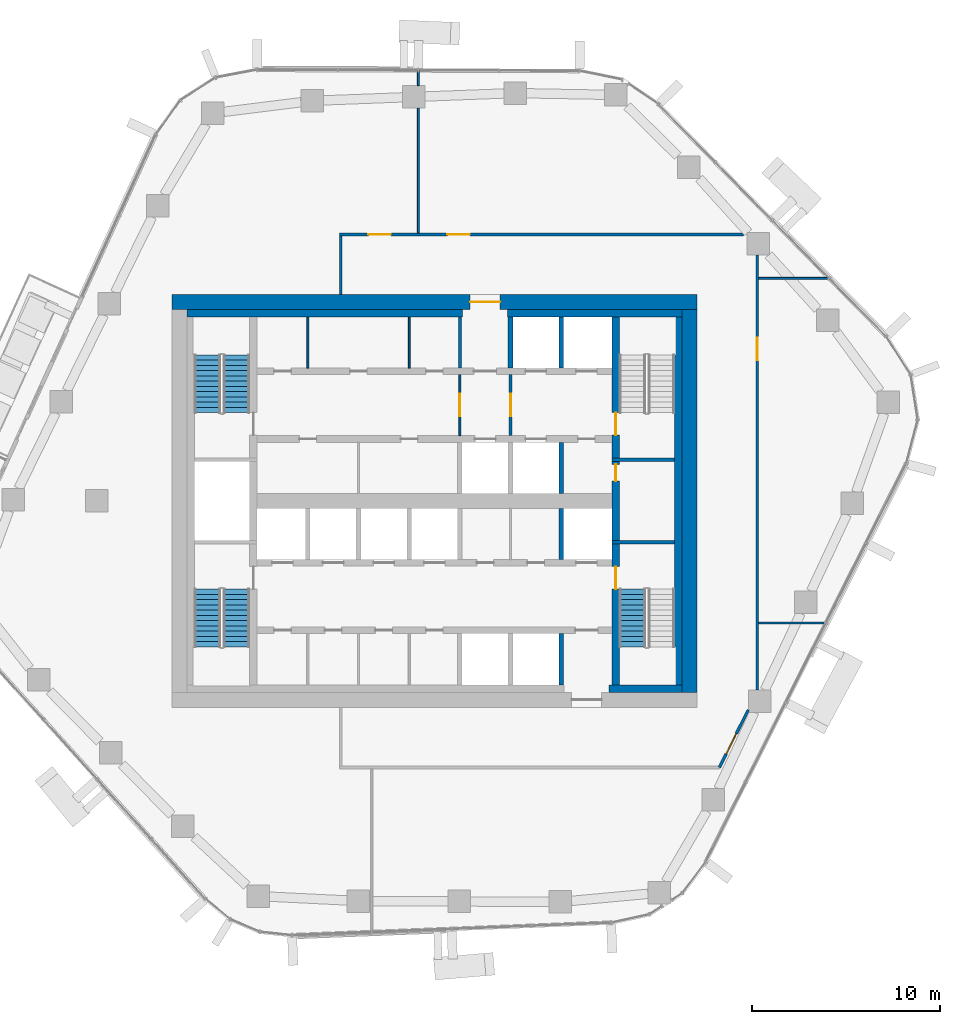
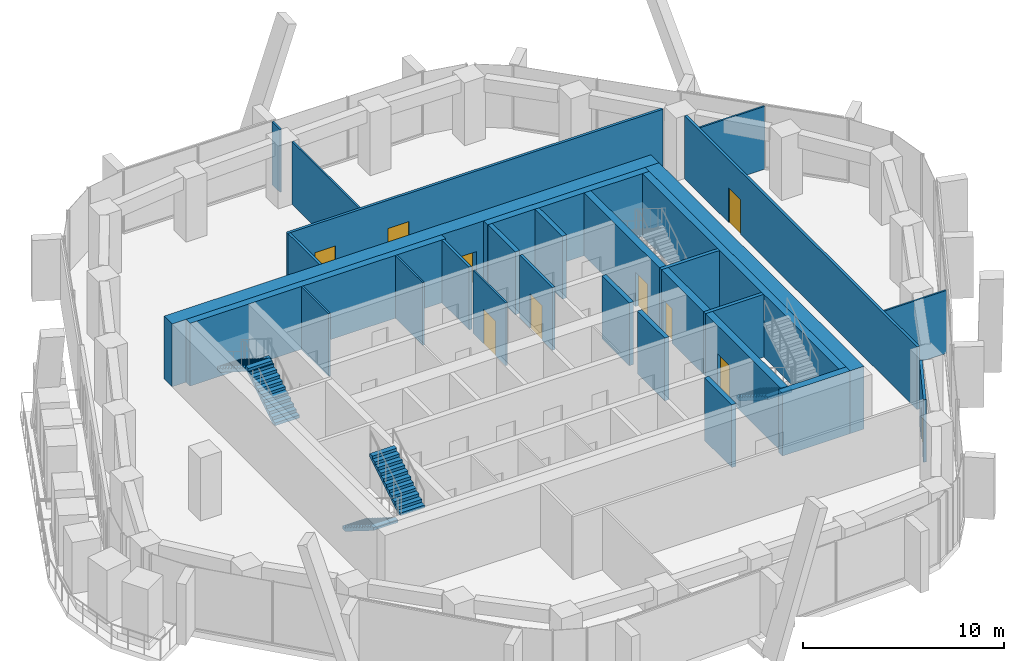
# One storey, part 13 of 19: 29 walls, 10 doors, 5 stair flights, 10 openings, 3 elements without a shape of their own.
"""IFC4 building model written with IfcOpenShell, lengths in metres."""

import ifcopenshell
import ifcopenshell.guid

model = None  # the IFC model being written
_history = None  # IfcOwnerHistory: only IFC2X3 demands one
_inside = {}  # id of a spatial element -> (the spatial element, [elements in it])
_under = {}  # id of a project, library or spatial element -> (it, [spatial elements below it])
_declared = {}  # id of a project -> (the project, [libraries it declares])
_typed = {}  # id of a type object -> (the type object, [elements of that type])
_made_of = {}  # id of a material, layer set ... -> (it, [elements and type objects made of it])


def new_model(schema):
    """Start an empty IFC model of exactly this schema.

    Asked for "IFC4X3", IfcOpenShell would pick the latest addendum, in which some entities
    have other attributes; the version numbers below select the first issue.
    IFC2X3 requires an IfcOwnerHistory on every rooted entity: one is made here for all.
    """
    global model, _history
    if schema == "IFC4X3":
        model = ifcopenshell.file(schema_version=(4, 3, 0, 0))
    else:
        model = ifcopenshell.file(schema=schema)
    _inside.clear()
    _under.clear()
    _declared.clear()
    _typed.clear()
    _made_of.clear()
    _history = None
    if model.schema == "IFC2X3":
        org = make("IfcOrganization", Name="unknown")
        user = make(
            "IfcPersonAndOrganization",
            ThePerson=make("IfcPerson", FamilyName="unknown"),
            TheOrganization=org,
        )
        app = make(
            "IfcApplication",
            ApplicationDeveloper=org,
            Version="unknown",
            ApplicationFullName="unknown",
            ApplicationIdentifier="unknown",
        )
        _history = make(
            "IfcOwnerHistory",
            OwningUser=user,
            OwningApplication=app,
            ChangeAction="ADDED",
            CreationDate=0,
        )
    return model


def make(cls, **values):
    """One entity of the class cls with the attributes given. An attribute that is None is left unset."""
    return model.create_entity(
        cls, **{name: value for name, value in values.items() if value is not None}
    )


def rooted(cls, **values):
    """An entity with a GlobalId (a new one), such as an element, a storey or a relation."""
    return make(cls, GlobalId=ifcopenshell.guid.new(), OwnerHistory=_history, **values)


def si_unit(unit_type, name, prefix=None):
    """IfcSIUnit, for example si_unit("LENGTHUNIT", "METRE", prefix="MILLI")."""
    return make("IfcSIUnit", UnitType=unit_type, Prefix=prefix, Name=name)


def assignment(units):
    """IfcUnitAssignment: the units of a project."""
    return None if units is None else make("IfcUnitAssignment", Units=units)


def point(xyz):
    """IfcCartesianPoint."""
    return None if xyz is None else make("IfcCartesianPoint", Coordinates=xyz)


def direction(xyz):
    """IfcDirection."""
    return None if xyz is None else make("IfcDirection", DirectionRatios=xyz)


def frame(location, z_axis=None, x_axis=None):
    """IfcAxis2Placement3D, a coordinate frame: its origin and axes. An axis left out is left unset."""
    return make(
        "IfcAxis2Placement3D",
        Location=point(location),
        Axis=direction(z_axis),
        RefDirection=direction(x_axis),
    )


def frame_2d(location, x_axis=None):
    """IfcAxis2Placement2D, a coordinate frame in the plane: its origin and x axis."""
    return make(
        "IfcAxis2Placement2D", Location=point(location), RefDirection=direction(x_axis)
    )


def origin():
    """The frame at (0, 0, 0) with its axes left unset."""
    return frame((0.0, 0.0, 0.0))


def place(relative_to, where):
    """IfcLocalPlacement: puts the frame where relative to a parent placement (None: the world)."""
    return make(
        "IfcLocalPlacement", PlacementRelTo=relative_to, RelativePlacement=where
    )


def context(
    kind, dimensions, precision=None, world=None, true_north=None, identifier=None
):
    """IfcGeometricRepresentationContext, for example the 3D "Model" context."""
    return make(
        "IfcGeometricRepresentationContext",
        ContextIdentifier=identifier,
        ContextType=kind,
        CoordinateSpaceDimension=dimensions,
        Precision=precision,
        WorldCoordinateSystem=world,
        TrueNorth=true_north,
    )


def subcontext(parent, identifier, kind, view, scale=None):
    """IfcGeometricRepresentationSubContext, for example "Body" below "Model"."""
    return make(
        "IfcGeometricRepresentationSubContext",
        ContextIdentifier=identifier,
        ContextType=kind,
        ParentContext=parent,
        TargetScale=scale,
        TargetView=view,
    )


def project(units=None, contexts=None):
    """IfcProject with its units and contexts."""
    return rooted(
        "IfcProject",
        Name="project",
        RepresentationContexts=contexts,
        UnitsInContext=assignment(units),
    )


def spatial(cls, under=None, at=None, **own):
    """A site, building, storey or space (cls), placed at a placement, below another one or the project."""
    s = rooted(cls, ObjectPlacement=at, **own)
    if under is not None:
        _under.setdefault(under.id(), (under, []))[1].append(s)
    return s


def polyline(points):
    """IfcPolyline through the points."""
    return make("IfcPolyline", Points=[point(p) for p in points])


def profile(cls, at=None, kind="AREA", **sizes):
    """A parametric profile (cls). Its sizes go by their IFC names, for example OverallWidth=200.0."""
    return make(cls, ProfileType=kind, Position=at, **sizes)


def rectangle(**sizes):
    """IfcRectangleProfileDef."""
    return profile("IfcRectangleProfileDef", **sizes)


def outline(outer, holes=None, kind="AREA"):
    """IfcArbitraryClosedProfileDef: a profile drawn as a closed curve; with holes, ...WithVoids."""
    if holes is None:
        return make("IfcArbitraryClosedProfileDef", ProfileType=kind, OuterCurve=outer)
    return make(
        "IfcArbitraryProfileDefWithVoids",
        ProfileType=kind,
        OuterCurve=outer,
        InnerCurves=holes,
    )


def extrude(swept, where, along, depth):
    """IfcExtrudedAreaSolid: the profile swept, set in the frame where, extruded along a direction by depth."""
    return make(
        "IfcExtrudedAreaSolid",
        SweptArea=swept,
        Position=where,
        ExtrudedDirection=direction(along),
        Depth=depth,
    )


def shape(context_of_items, identifier, shape_type, items):
    """IfcShapeRepresentation: the items that make up one representation, for example the "Body"."""
    return make(
        "IfcShapeRepresentation",
        ContextOfItems=context_of_items,
        RepresentationIdentifier=identifier,
        RepresentationType=shape_type,
        Items=items,
    )


def material(Name=None, Category=None):
    """IfcMaterial."""
    return make("IfcMaterial", Name=Name, Category=Category)


def layer(
    of_material, thickness, ventilated=None, Name=None, Category=None, Priority=None
):
    """IfcMaterialLayer: one layer of a wall or slab, of a material (None: an air gap)."""
    return make(
        "IfcMaterialLayer",
        Material=of_material,
        LayerThickness=thickness,
        IsVentilated=ventilated,
        Name=Name,
        Category=Category,
        Priority=Priority,
    )


def layer_set(layers, Name=None):
    """IfcMaterialLayerSet."""
    return make("IfcMaterialLayerSet", MaterialLayers=layers, LayerSetName=Name)


def made_of(thing, what):
    """Note that an element or type object is made of a material, layer set ...; save() writes the relation."""
    if what is not None:
        _made_of.setdefault(what.id(), (what, []))[1].append(thing)
    return thing


def type_object(cls, material=None, **own):
    """A type object (cls), such as IfcWallType, which elements share."""
    return made_of(rooted(cls, **own), material)


def element(
    cls,
    number,
    at=None,
    inside=None,
    cuts=None,
    type_object=None,
    material=None,
    context=None,
    identifier="Body",
    shape_type=None,
    held_by="IfcProductDefinitionShape",
    body=None,
    shapes=None,
    **own,
):
    """One element of the class cls, such as IfcWall. Its Tag is "e" and its number.

    at: its placement. inside: the storey or other place that contains it. cuts: it is an
    opening in that element (IfcRelVoidsElement). A single representation is given by context,
    identifier, shape_type and body (its items); several are given by shapes. held_by: the class
    of the entity that holds the representations. save() writes the other relations.
    """
    e = rooted(cls, Tag="e%d" % number, ObjectPlacement=at, **own)
    if body is not None:
        shapes = [shape(context, identifier, shape_type, body)]
    if shapes is not None:
        e.Representation = make(held_by, Representations=shapes)
    if inside is not None:
        _inside.setdefault(inside.id(), (inside, []))[1].append(e)
    if cuts is not None:
        rooted(
            "IfcRelVoidsElement", RelatingBuildingElement=cuts, RelatedOpeningElement=e
        )
    if type_object is not None:
        _typed.setdefault(type_object.id(), (type_object, []))[1].append(e)
    return made_of(e, material)


def fill(opening, filler):
    """IfcRelFillsElement: the door or window that sits in an opening."""
    return rooted(
        "IfcRelFillsElement",
        RelatingOpeningElement=opening,
        RelatedBuildingElement=filler,
    )


def aggregate(whole, parts):
    """IfcRelAggregates: a whole, such as a stair, and the parts it consists of."""
    return rooted("IfcRelAggregates", RelatingObject=whole, RelatedObjects=parts)


def save(model, path):
    """Write the relations noted so far, then the file.

    IfcRelAggregates (storeys below a building ...), IfcRelContainedInSpatialStructure (elements
    in a storey), IfcRelDefinesByType, IfcRelAssociatesMaterial and IfcRelDeclares: one each for
    every whole, place, type object, material and project.
    """
    for whole, parts in _under.values():
        aggregate(whole, parts)
    for where, things in _inside.values():
        rooted(
            "IfcRelContainedInSpatialStructure",
            RelatedElements=things,
            RelatingStructure=where,
        )
    for kind, things in _typed.values():
        rooted("IfcRelDefinesByType", RelatedObjects=things, RelatingType=kind)
    for what, things in _made_of.values():
        rooted("IfcRelAssociatesMaterial", RelatedObjects=things, RelatingMaterial=what)
    for by, libraries in _declared.values():
        rooted("IfcRelDeclares", RelatingContext=by, RelatedDefinitions=libraries)
    model.write(path)


model = new_model("IFC4")

# Units and contexts
model_context = context("Model", 3, precision=1e-05, world=origin(), true_north=direction((0.0, 1.0)))
body_context = subcontext(model_context, "Body", "Model", "MODEL_VIEW")
ifc_project = project(units=[si_unit("LENGTHUNIT", "METRE"), si_unit("AREAUNIT", "SQUARE_METRE"), si_unit("VOLUMEUNIT", "CUBIC_METRE"), si_unit("PLANEANGLEUNIT", "RADIAN"), si_unit("MASSUNIT", "GRAM", prefix="KILO")], contexts=[model_context])

# Site, building, storey
site_placement = place(None, origin())
site = spatial("IfcSite", under=ifc_project, at=site_placement, CompositionType="ELEMENT")
building_placement = place(site_placement, origin())
building = spatial("IfcBuilding", under=site, at=building_placement, Name="Dongbaek Canopy Tower", CompositionType="ELEMENT")
storey_placement = place(building_placement, frame((0.0, 0.0, 207.199951171875)))
storey = spatial("IfcBuildingStorey", under=building, at=storey_placement, Name="L43", CompositionType="ELEMENT", Elevation=207.199951171875)

# Wall, opening, door
ifc_material_1 = material(Name="Concrete C70/85", Category="concrete")
ifc_layer_1 = layer(ifc_material_1, 0.800048828125)
ifc_layer_set_1 = layer_set([ifc_layer_1], Name="Core outer wall 800 Concrete C70/85")
wall_type_1 = type_object("IfcWallType", Name="Core outer wall 800 Concrete C70/85", PredefinedType="SHEAR", material=ifc_layer_set_1)
wall_1_placement = place(storey_placement, frame((-14.0, 10.60009765625, 0.0), z_axis=(0.0, 0.0, 1.0), x_axis=(1.0, 0.0, 0.0)))
wall_1 = element("IfcWall", 1, at=wall_1_placement, inside=storey, type_object=wall_type_1, Name="Core wall", PredefinedType="SHEAR", context=body_context, shape_type="SweptSolid", body=[
    extrude(rectangle(XDim=28.0, YDim=0.800048828125, at=frame_2d((14.0, 0.0))), origin(), (0.0, 0.0, 1.0), 3.820068359375),
])
opening_1_placement = place(wall_1_placement, frame((15.89990234375, 0.0, 0.0)))
opening_1 = element("IfcOpeningElement", 2, at=opening_1_placement, cuts=wall_1, Name="Opening L43-D006", PredefinedType="OPENING", context=body_context, shape_type="SweptSolid", body=[
    extrude(rectangle(XDim=1.60009765625, YDim=2.10009765625, at=frame_2d((0.800048828125, 1.050048828125))), frame((0.0, 0.409912109375, 0.0), z_axis=(0.0, -1.0, 0.0), x_axis=(1.0, 0.0, 0.0)), (0.0, 0.0, 1.0), 0.820068359375),
])
ifc_material_2 = material(Name="Steel", Category="steel")
door_type_1 = type_object("IfcDoorType", Name="Core exit door 1600 x 2100", OperationType="DOUBLE_DOOR_SINGLE_SWING", PredefinedType="DOOR", material=ifc_material_2)
door_1_placement = place(opening_1_placement, origin())
door_1 = element("IfcDoor", 3, at=door_1_placement, inside=storey, type_object=door_type_1, Name="Core exit door", OperationType="DOUBLE_DOOR_SINGLE_SWING", OverallHeight=2.10009765625, OverallWidth=1.60009765625, PredefinedType="DOOR", context=body_context, shape_type="SweptSolid", body=[
    extrude(rectangle(XDim=1.60009765625, YDim=2.10009765625, at=frame_2d((0.800048828125, 1.050048828125))), frame((0.0, 0.02490234375, 0.0), z_axis=(0.0, -1.0, 0.0), x_axis=(1.0, 0.0, 0.0)), (0.0, 0.0, 1.0), 0.050048828125),
])
fill(opening_1, door_1)

# Walls
wall_2_placement = place(storey_placement, frame((13.60009765625, 10.199951171875, 0.0), z_axis=(0.0, 0.0, 1.0), x_axis=(0.0, -1.0, 0.0)))
element("IfcWall", 4, at=wall_2_placement, inside=storey, type_object=wall_type_1, Name="Core wall", PredefinedType="SHEAR", context=body_context, shape_type="SweptSolid", body=[
    extrude(rectangle(XDim=20.39990234375, YDim=0.800048828125, at=frame_2d((10.199951171875, 0.0))), origin(), (0.0, 0.0, 1.0), 3.820068359375),
])
ifc_material_3 = material(Name="Concrete C60/75", Category="concrete")
ifc_layer_2 = layer(ifc_material_3, 0.39990234375)
ifc_layer_set_2 = layer_set([ifc_layer_2], Name="Core wall lining 400 Concrete C60/75")
wall_type_2 = type_object("IfcWallType", Name="Core wall lining 400 Concrete C60/75", PredefinedType="SHEAR", material=ifc_layer_set_2)
wall_3_placement = place(storey_placement, frame((-13.199951171875, 10.0, 0.0), z_axis=(0.0, 0.0, 1.0), x_axis=(1.0, 0.0, 0.0)))
element("IfcWall", 5, at=wall_3_placement, inside=storey, type_object=wall_type_2, Name="Core wall lining", PredefinedType="SHEAR", context=body_context, shape_type="SweptSolid", body=[
    extrude(rectangle(XDim=14.699951171875, YDim=0.39990234375, at=frame_2d((7.35009765625, 0.0))), origin(), (0.0, 0.0, 1.0), 3.820068359375),
])
wall_4_placement = place(storey_placement, frame((3.89990234375, 10.0, 0.0), z_axis=(0.0, 0.0, 1.0), x_axis=(1.0, 0.0, 0.0)))
element("IfcWall", 6, at=wall_4_placement, inside=storey, type_object=wall_type_2, Name="Core wall lining", PredefinedType="SHEAR", context=body_context, shape_type="SweptSolid", body=[
    extrude(rectangle(XDim=9.300048828125, YDim=0.39990234375, at=frame_2d((4.64990234375, 0.0))), origin(), (0.0, 0.0, 1.0), 3.820068359375),
])
wall_5_placement = place(storey_placement, frame((13.199951171875, -10.0, 0.0), z_axis=(0.0, 0.0, 1.0), x_axis=(-1.0, 0.0, 0.0)))
element("IfcWall", 7, at=wall_5_placement, inside=storey, type_object=wall_type_2, Name="Core wall lining", PredefinedType="SHEAR", context=body_context, shape_type="SweptSolid", body=[
    extrude(rectangle(XDim=3.89990234375, YDim=0.39990234375, at=frame_2d((1.949951171875, 0.0))), origin(), (0.0, 0.0, 1.0), 3.820068359375),
])
wall_6_placement = place(storey_placement, frame((13.0, 9.800048828125, 0.0), z_axis=(0.0, 0.0, 1.0), x_axis=(0.0, -1.0, 0.0)))
element("IfcWall", 8, at=wall_6_placement, inside=storey, type_object=wall_type_2, Name="Core wall lining", PredefinedType="SHEAR", context=body_context, shape_type="SweptSolid", body=[
    extrude(rectangle(XDim=19.60009765625, YDim=0.39990234375, at=frame_2d((9.800048828125, 0.0))), origin(), (0.0, 0.0, 1.0), 3.820068359375),
])

# Wall, openings, doors
ifc_material_4 = material(Name="Gypsum board partition, steel stud, 2 x 15 mm fire board", Category="steel")
ifc_layer_3 = layer(ifc_material_4, 0.14990234375)
ifc_layer_set_3 = layer_set([ifc_layer_3], Name="Fire-rated partition 150 gypsum board")
wall_type_3 = type_object("IfcWallType", Name="Fire-rated partition 150 gypsum board", PredefinedType="PARTITIONING", material=ifc_layer_set_3)
wall_7_placement = place(storey_placement, frame((-5.074951171875, 14.199951171875, 0.0), z_axis=(0.0, 0.0, 1.0), x_axis=(1.0, 0.0, 0.0)))
wall_7 = element("IfcWall", 9, at=wall_7_placement, inside=storey, type_object=wall_type_3, Name="Corridor partition", PredefinedType="PARTITIONING", context=body_context, shape_type="SweptSolid", body=[
    extrude(rectangle(XDim=21.551025390625, YDim=0.14990234375, at=frame_2d((10.775390625, 0.0))), origin(), (0.0, 0.0, 1.0), 3.820068359375),
])
opening_2_placement = place(wall_7_placement, frame((5.763916015625, 0.0, 0.0)))
opening_2 = element("IfcOpeningElement", 10, at=opening_2_placement, cuts=wall_7, Name="Opening L43-D003", PredefinedType="OPENING", context=body_context, shape_type="SweptSolid", body=[
    extrude(rectangle(XDim=1.199951171875, YDim=2.10009765625, at=frame_2d((0.60009765625, 1.050048828125))), frame((0.0, 0.0849609375, 0.0), z_axis=(0.0, -1.0, 0.0), x_axis=(1.0, 0.0, 0.0)), (0.0, 0.0, 1.0), 0.169921875),
])
opening_3_placement = place(wall_7_placement, frame((1.544677734375, 0.0, 0.0)))
opening_3 = element("IfcOpeningElement", 11, at=opening_3_placement, cuts=wall_7, Name="Opening L43-D004", PredefinedType="OPENING", context=body_context, shape_type="SweptSolid", body=[
    extrude(rectangle(XDim=1.199951171875, YDim=2.10009765625, at=frame_2d((0.60009765625, 1.050048828125))), frame((0.0, 0.0849609375, 0.0), z_axis=(0.0, -1.0, 0.0), x_axis=(1.0, 0.0, 0.0)), (0.0, 0.0, 1.0), 0.169921875),
])
ifc_material_5 = material(Name="Timber veneered door leaf", Category="wood")
door_type_2 = type_object("IfcDoorType", Name="Room door 1200 x 2100", OperationType="SINGLE_SWING_LEFT", PredefinedType="DOOR", material=ifc_material_5)
door_2_placement = place(opening_2_placement, origin())
door_2 = element("IfcDoor", 12, at=door_2_placement, inside=storey, type_object=door_type_2, Name="Door L43-D003", OperationType="SINGLE_SWING_RIGHT", OverallHeight=2.10009765625, OverallWidth=1.199951171875, PredefinedType="DOOR", context=body_context, shape_type="SweptSolid", body=[
    extrude(rectangle(XDim=1.199951171875, YDim=2.10009765625, at=frame_2d((0.60009765625, 1.050048828125))), frame((0.0, 0.02490234375, 0.0), z_axis=(0.0, -1.0, 0.0), x_axis=(1.0, 0.0, 0.0)), (0.0, 0.0, 1.0), 0.050048828125),
])
fill(opening_2, door_2)
door_3_placement = place(opening_3_placement, origin())
door_3 = element("IfcDoor", 13, at=door_3_placement, inside=storey, type_object=door_type_2, Name="Door L43-D004", OperationType="SINGLE_SWING_LEFT", OverallHeight=2.10009765625, OverallWidth=1.199951171875, PredefinedType="DOOR", context=body_context, shape_type="SweptSolid", body=[
    extrude(rectangle(XDim=1.199951171875, YDim=2.10009765625, at=frame_2d((0.60009765625, 1.050048828125))), frame((0.0, 0.02490234375, 0.0), z_axis=(0.0, -1.0, 0.0), x_axis=(1.0, 0.0, 0.0)), (0.0, 0.0, 1.0), 0.050048828125),
])
fill(opening_3, door_3)

# Wall, opening, door
wall_8_placement = place(storey_placement, frame((16.721923828125, -11.135986328125, 0.0), z_axis=(0.0, 0.0, 1.0), x_axis=(-0.449461267312, -0.893299820433, 0.0)))
wall_8 = element("IfcWall", 14, at=wall_8_placement, inside=storey, type_object=wall_type_3, Name="Corridor partition", PredefinedType="PARTITIONING", context=body_context, shape_type="SweptSolid", body=[
    extrude(rectangle(XDim=3.43017578125, YDim=0.14990234375, at=frame_2d((1.715087890625, 0.0))), origin(), (0.0, 0.0, 1.0), 3.820068359375),
])
opening_4_placement = place(wall_8_placement, frame((1.42138671875, 0.0, 0.0)))
opening_4 = element("IfcOpeningElement", 15, at=opening_4_placement, cuts=wall_8, Name="Opening L43-D001", PredefinedType="OPENING", context=body_context, shape_type="SweptSolid", body=[
    extrude(rectangle(XDim=1.199951171875, YDim=2.10009765625, at=frame_2d((0.60009765625, 1.050048828125))), frame((0.0, 0.0849609375, 0.0), z_axis=(0.0, -1.0, 0.0), x_axis=(1.0, 0.0, 0.0)), (0.0, 0.0, 1.0), 0.169921875),
])
door_4_placement = place(opening_4_placement, origin())
door_4 = element("IfcDoor", 16, at=door_4_placement, inside=storey, type_object=door_type_2, Name="Door L43-D001", OperationType="SINGLE_SWING_RIGHT", OverallHeight=2.10009765625, OverallWidth=1.199951171875, PredefinedType="DOOR", context=body_context, shape_type="SweptSolid", body=[
    extrude(rectangle(XDim=1.199951171875, YDim=2.10009765625, at=frame_2d((0.60009765625, 1.050048828125))), frame((0.0, 0.02490234375, 0.0), z_axis=(0.0, -1.0, 0.0), x_axis=(1.0, 0.0, 0.0)), (0.0, 0.0, 1.0), 0.050048828125),
])
fill(opening_4, door_4)

wall_9_placement = place(storey_placement, frame((17.199951171875, 13.10595703125, 0.0), z_axis=(0.0, 0.0, 1.0), x_axis=(0.0, -1.0, 0.0)))
wall_9 = element("IfcWall", 17, at=wall_9_placement, inside=storey, type_object=wall_type_3, Name="Corridor partition", PredefinedType="PARTITIONING", context=body_context, shape_type="SweptSolid", body=[
    extrude(rectangle(XDim=23.171875, YDim=0.14990234375, at=frame_2d((11.5859375, 0.0))), origin(), (0.0, 0.0, 1.0), 3.820068359375),
])
opening_5_placement = place(wall_9_placement, frame((4.41162109375, 0.0, 0.0)))
opening_5 = element("IfcOpeningElement", 18, at=opening_5_placement, cuts=wall_9, Name="Opening L43-D002", PredefinedType="OPENING", context=body_context, shape_type="SweptSolid", body=[
    extrude(rectangle(XDim=1.199951171875, YDim=2.10009765625, at=frame_2d((0.60009765625, 1.050048828125))), frame((0.0, 0.0849609375, 0.0), z_axis=(0.0, -1.0, 0.0), x_axis=(1.0, 0.0, 0.0)), (0.0, 0.0, 1.0), 0.169921875),
])
door_5_placement = place(opening_5_placement, origin())
door_5 = element("IfcDoor", 19, at=door_5_placement, inside=storey, type_object=door_type_2, Name="Door L43-D002", OperationType="SINGLE_SWING_LEFT", OverallHeight=2.10009765625, OverallWidth=1.199951171875, PredefinedType="DOOR", context=body_context, shape_type="SweptSolid", body=[
    extrude(rectangle(XDim=1.199951171875, YDim=2.10009765625, at=frame_2d((0.60009765625, 1.050048828125))), frame((0.0, 0.02490234375, 0.0), z_axis=(0.0, -1.0, 0.0), x_axis=(1.0, 0.0, 0.0)), (0.0, 0.0, 1.0), 0.050048828125),
])
fill(opening_5, door_5)

# Wall
wall_10_placement = place(storey_placement, frame((-5.0, 11.0, 0.0), z_axis=(0.0, 0.0, 1.0), x_axis=(0.0, 1.0, 0.0)))
element("IfcWall", 20, at=wall_10_placement, inside=storey, type_object=wall_type_3, Name="Corridor partition", PredefinedType="PARTITIONING", context=body_context, shape_type="SweptSolid", body=[
    extrude(rectangle(XDim=3.125, YDim=0.14990234375, at=frame_2d((1.5625, 0.0))), origin(), (0.0, 0.0, 1.0), 3.820068359375),
])

# Wall, opening, door
wall_11_placement = place(storey_placement, frame((4.050048828125, 6.72509765625, 0.0), z_axis=(0.0, 0.0, 1.0), x_axis=(0.0, -1.0, 0.0)))
wall_11 = element("IfcWall", 21, at=wall_11_placement, inside=storey, type_object=wall_type_3, Name="Fire lobby partition", PredefinedType="PARTITIONING", context=body_context, shape_type="SweptSolid", body=[
    extrude(rectangle(XDim=3.25, YDim=0.14990234375, at=frame_2d((1.625, 0.0))), origin(), (0.0, 0.0, 1.0), 3.820068359375),
])
opening_6_placement = place(wall_11_placement, frame((1.02490234375, 0.0, 0.0)))
opening_6 = element("IfcOpeningElement", 22, at=opening_6_placement, cuts=wall_11, Name="Opening L43-D036", PredefinedType="OPENING", context=body_context, shape_type="SweptSolid", body=[
    extrude(rectangle(XDim=1.199951171875, YDim=2.10009765625, at=frame_2d((0.60009765625, 1.050048828125))), frame((0.0, 0.0849609375, 0.0), z_axis=(0.0, -1.0, 0.0), x_axis=(1.0, 0.0, 0.0)), (0.0, 0.0, 1.0), 0.169921875),
])
ifc_material_6 = material(Name="Steel", Category="steel")
door_type_3 = type_object("IfcDoorType", Name="Fire lobby door 1200 x 2100", OperationType="SINGLE_SWING_LEFT", PredefinedType="DOOR", material=ifc_material_6)
door_6_placement = place(opening_6_placement, origin())
door_6 = element("IfcDoor", 23, at=door_6_placement, inside=storey, type_object=door_type_3, Name="Door L43-D036", OperationType="SINGLE_SWING_RIGHT", OverallHeight=2.10009765625, OverallWidth=1.199951171875, PredefinedType="DOOR", context=body_context, shape_type="SweptSolid", body=[
    extrude(rectangle(XDim=1.199951171875, YDim=2.10009765625, at=frame_2d((0.60009765625, 1.050048828125))), frame((0.0, 0.02490234375, 0.0), z_axis=(0.0, -1.0, 0.0), x_axis=(1.0, 0.0, 0.0)), (0.0, 0.0, 1.0), 0.050048828125),
])
fill(opening_6, door_6)

# Walls
wall_12_placement = place(storey_placement, frame((1.35009765625, 7.074951171875, 0.0), z_axis=(0.0, 0.0, 1.0), x_axis=(0.0, 1.0, 0.0)))
element("IfcWall", 24, at=wall_12_placement, inside=storey, type_object=wall_type_3, Name="Fire lobby partition", PredefinedType="PARTITIONING", context=body_context, shape_type="SweptSolid", body=[
    extrude(rectangle(XDim=2.72509765625, YDim=0.14990234375, at=frame_2d((1.362548828125, 0.0))), origin(), (0.0, 0.0, 1.0), 3.820068359375),
])
ifc_material_7 = material(Name="Concrete C40/50", Category="concrete")
ifc_layer_4 = layer(ifc_material_7, 0.25)
ifc_layer_set_4 = layer_set([ifc_layer_4], Name="Lift shaft wall 250 Concrete C40/50")
wall_type_4 = type_object("IfcWallType", Name="Lift shaft wall 250 Concrete C40/50", PredefinedType="SOLIDWALL", material=ifc_layer_set_4)
for number, where, z_axis, x_axis, name in (
    (25, (6.75, -9.800048828125, 0.0), (0.0, 0.0, 1.0), (0.0, 1.0, 0.0), "Lift shaft wall"),
    (26, (6.75, -3.125, 0.0), (0.0, 0.0, 1.0), (0.0, 1.0, 0.0), "Lift shaft wall"),
    (27, (6.75, 0.39990234375, 0.0), (0.0, 0.0, 1.0), (0.0, 1.0, 0.0), "Lift shaft wall"),
    (28, (6.75, 7.074951171875, 0.0), (0.0, 0.0, 1.0), (0.0, 1.0, 0.0), "Lift shaft wall"),
    (29, (4.050048828125, 7.074951171875, 0.0), (0.0, 0.0, 1.0), (0.0, 1.0, 0.0), "Lift shaft wall"),
):
    element("IfcWall", number, at=place(storey_placement, frame(where, z_axis=z_axis, x_axis=x_axis)), inside=storey, type_object=wall_type_4, Name=name, PredefinedType="SOLIDWALL", context=body_context, shape_type="SweptSolid", body=[
        extrude(rectangle(XDim=2.72509765625, YDim=0.25, at=frame_2d((1.362548828125, 0.0))), origin(), (0.0, 0.0, 1.0), 3.820068359375),
    ])
ifc_material_8 = material(Name="Gypsum board partition, steel stud, 2 x 12.5 mm board", Category="steel")
ifc_layer_5 = layer(ifc_material_8, 0.10009765625)
ifc_layer_set_5 = layer_set([ifc_layer_5], Name="Partition 100 gypsum board")
wall_type_5 = type_object("IfcWallType", Name="Partition 100 gypsum board", PredefinedType="PARTITIONING", material=ifc_layer_set_5)
wall_13_placement = place(storey_placement, frame((17.27490234375, -6.506103515625, 0.0), z_axis=(0.0, 0.0, 1.0), x_axis=(1.0, 0.0, 0.0)))
element("IfcWall", 30, at=wall_13_placement, inside=storey, type_object=wall_type_5, Name="Partition", PredefinedType="PARTITIONING", context=body_context, shape_type="SweptSolid", body=[
    extrude(rectangle(XDim=3.567626953125, YDim=0.10009765625, at=frame_2d((1.78369140625, 0.0))), origin(), (0.0, 0.0, 1.0), 3.820068359375),
])
wall_14_placement = place(storey_placement, frame((17.27490234375, 11.862060546875, 0.0), z_axis=(0.0, 0.0, 1.0), x_axis=(1.0, 0.0, 0.0)))
element("IfcWall", 31, at=wall_14_placement, inside=storey, type_object=wall_type_5, Name="Partition", PredefinedType="PARTITIONING", context=body_context, shape_type="SweptSolid", body=[
    extrude(rectangle(XDim=3.73681640625, YDim=0.10009765625, at=frame_2d((1.868408203125, 0.0))), origin(), (0.0, 0.0, 1.0), 3.820068359375),
])
wall_15_placement = place(storey_placement, frame((-0.861083984375, 14.27490234375, 0.0), z_axis=(0.0, 0.0, 1.0), x_axis=(0.0, 1.0, 0.0)))
element("IfcWall", 32, at=wall_15_placement, inside=storey, type_object=wall_type_5, Name="Partition", PredefinedType="PARTITIONING", context=body_context, shape_type="SweptSolid", body=[
    extrude(rectangle(XDim=6.655029296875, YDim=0.10009765625, at=frame_2d((3.32763671875, 0.0))), origin(), (0.0, 0.0, 1.0), 3.820068359375),
])
wall_16_placement = place(storey_placement, frame((-0.861083984375, 22.1298828125, 0.0), z_axis=(0.0, 0.0, 1.0), x_axis=(0.0, 1.0, 0.0)))
element("IfcWall", 33, at=wall_16_placement, inside=storey, type_object=wall_type_5, Name="Partition", PredefinedType="PARTITIONING", context=body_context, shape_type="SweptSolid", body=[
    extrude(rectangle(XDim=0.798583984375, YDim=0.10009765625, at=frame_2d((0.3994140625, 0.0))), origin(), (0.0, 0.0, 1.0), 3.820068359375),
])

# Wall, opening, door
wall_17_placement = place(storey_placement, frame((1.35009765625, 6.72509765625, 0.0), z_axis=(0.0, 0.0, 1.0), x_axis=(0.0, -1.0, 0.0)))
wall_17 = element("IfcWall", 34, at=wall_17_placement, inside=storey, type_object=wall_type_5, Name="Core partition", PredefinedType="PARTITIONING", context=body_context, shape_type="SweptSolid", body=[
    extrude(rectangle(XDim=3.25, YDim=0.10009765625, at=frame_2d((1.625, 0.0))), origin(), (0.0, 0.0, 1.0), 3.820068359375),
])
opening_7_placement = place(wall_17_placement, frame((1.02490234375, 0.0, 0.0)))
opening_7 = element("IfcOpeningElement", 35, at=opening_7_placement, cuts=wall_17, Name="Opening L43-D035", PredefinedType="OPENING", context=body_context, shape_type="SweptSolid", body=[
    extrude(rectangle(XDim=1.199951171875, YDim=2.10009765625, at=frame_2d((0.60009765625, 1.050048828125))), frame((0.0, 0.06005859375, 0.0), z_axis=(0.0, -1.0, 0.0), x_axis=(1.0, 0.0, 0.0)), (0.0, 0.0, 1.0), 0.1201171875),
])
door_7_placement = place(opening_7_placement, origin())
door_7 = element("IfcDoor", 36, at=door_7_placement, inside=storey, type_object=door_type_3, Name="Door L43-D035", OperationType="SINGLE_SWING_LEFT", OverallHeight=2.10009765625, OverallWidth=1.199951171875, PredefinedType="DOOR", context=body_context, shape_type="SweptSolid", body=[
    extrude(rectangle(XDim=1.199951171875, YDim=2.10009765625, at=frame_2d((0.60009765625, 1.050048828125))), frame((0.0, 0.02490234375, 0.0), z_axis=(0.0, -1.0, 0.0), x_axis=(1.0, 0.0, 0.0)), (0.0, 0.0, 1.0), 0.050048828125),
])
fill(opening_7, door_7)

# Walls
for number, where, z_axis, x_axis, name in (
    (37, (-1.35009765625, 7.074951171875, 0.0), (0.0, 0.0, 1.0), (0.0, 1.0, 0.0), "Core partition"),
    (38, (-6.75, 7.074951171875, 0.0), (0.0, 0.0, 1.0), (0.0, 1.0, 0.0), "Core partition"),
):
    element("IfcWall", number, at=place(storey_placement, frame(where, z_axis=z_axis, x_axis=x_axis)), inside=storey, type_object=wall_type_5, Name=name, PredefinedType="PARTITIONING", context=body_context, shape_type="SweptSolid", body=[
        extrude(rectangle(XDim=2.72509765625, YDim=0.10009765625, at=frame_2d((1.362548828125, 0.0))), origin(), (0.0, 0.0, 1.0), 3.820068359375),
    ])
ifc_material_9 = material(Name="Concrete C60/75", Category="concrete")
ifc_layer_6 = layer(ifc_material_9, 0.199951171875)
ifc_layer_set_6 = layer_set([ifc_layer_6], Name="Riser wall 200 Concrete C60/75")
wall_type_6 = type_object("IfcWallType", Name="Riser wall 200 Concrete C60/75", PredefinedType="SHEAR", material=ifc_layer_set_6)
for number, where, z_axis, x_axis, name in (
    (39, (9.449951171875, 2.199951171875, 0.0), (0.0, 0.0, 1.0), (1.0, 0.0, 0.0), "Riser wall"),
    (40, (9.449951171875, -2.199951171875, 0.0), (0.0, 0.0, 1.0), (1.0, 0.0, 0.0), "Riser wall"),
):
    element("IfcWall", number, at=place(storey_placement, frame(where, z_axis=z_axis, x_axis=x_axis)), inside=storey, type_object=wall_type_6, Name=name, PredefinedType="SHEAR", context=body_context, shape_type="SweptSolid", body=[
        extrude(rectangle(XDim=3.35009765625, YDim=0.199951171875, at=frame_2d((1.675048828125, 0.0))), origin(), (0.0, 0.0, 1.0), 3.820068359375),
    ])

# Wall, opening, door
ifc_material_10 = material(Name="Concrete C60/75", Category="concrete")
ifc_layer_7 = layer(ifc_material_10, 0.39990234375)
ifc_layer_set_7 = layer_set([ifc_layer_7], Name="Stair wall 400 Concrete C60/75")
wall_type_7 = type_object("IfcWallType", Name="Stair wall 400 Concrete C60/75", PredefinedType="SHEAR", material=ifc_layer_set_7)
wall_18_placement = place(storey_placement, frame((9.64990234375, -2.300048828125, 0.0), z_axis=(0.0, 0.0, 1.0), x_axis=(0.0, -1.0, 0.0)))
wall_18 = element("IfcWall", 41, at=wall_18_placement, inside=storey, type_object=wall_type_7, Name="Stair wall", PredefinedType="SHEAR", context=body_context, shape_type="SweptSolid", body=[
    extrude(rectangle(XDim=7.5, YDim=0.39990234375, at=frame_2d((3.75, 0.0))), origin(), (0.0, 0.0, 1.0), 3.820068359375),
])
opening_8_placement = place(wall_18_placement, frame((1.199951171875, 0.0, 0.0)))
opening_8 = element("IfcOpeningElement", 42, at=opening_8_placement, cuts=wall_18, Name="Opening L43-D033", PredefinedType="OPENING", context=body_context, shape_type="SweptSolid", body=[
    extrude(rectangle(XDim=1.199951171875, YDim=2.10009765625, at=frame_2d((0.60009765625, 1.050048828125))), frame((0.0, 0.2099609375, 0.0), z_axis=(0.0, -1.0, 0.0), x_axis=(1.0, 0.0, 0.0)), (0.0, 0.0, 1.0), 0.419921875),
])
ifc_material_11 = material(Name="Steel", Category="steel")
door_type_4 = type_object("IfcDoorType", Name="Stair door 1200 x 2100", OperationType="SINGLE_SWING_LEFT", PredefinedType="DOOR", material=ifc_material_11)
door_8_placement = place(opening_8_placement, origin())
door_8 = element("IfcDoor", 43, at=door_8_placement, inside=storey, type_object=door_type_4, Name="Stair B door", OperationType="SINGLE_SWING_RIGHT", OverallHeight=2.10009765625, OverallWidth=1.199951171875, PredefinedType="DOOR", context=body_context, shape_type="SweptSolid", body=[
    extrude(rectangle(XDim=1.199951171875, YDim=2.10009765625, at=frame_2d((0.60009765625, 1.050048828125))), frame((0.0, 0.02490234375, 0.0), z_axis=(0.0, -1.0, 0.0), x_axis=(1.0, 0.0, 0.0)), (0.0, 0.0, 1.0), 0.050048828125),
])
fill(opening_8, door_8)

wall_19_placement = place(storey_placement, frame((9.64990234375, 2.10009765625, 0.0), z_axis=(0.0, 0.0, 1.0), x_axis=(0.0, -1.0, 0.0)))
wall_19 = element("IfcWall", 44, at=wall_19_placement, inside=storey, type_object=wall_type_7, Name="Stair wall", PredefinedType="SHEAR", context=body_context, shape_type="SweptSolid", body=[
    extrude(rectangle(XDim=4.2001953125, YDim=0.39990234375, at=frame_2d((2.10009765625, 0.0))), origin(), (0.0, 0.0, 1.0), 3.820068359375),
])
opening_9_placement = place(wall_19_placement, frame((0.14990234375, 0.0, 0.0)))
opening_9 = element("IfcOpeningElement", 45, at=opening_9_placement, cuts=wall_19, Name="Opening L43-D005", PredefinedType="OPENING", context=body_context, shape_type="SweptSolid", body=[
    extrude(rectangle(XDim=0.89990234375, YDim=2.10009765625, at=frame_2d((0.449951171875, 1.050048828125))), frame((0.0, 0.2099609375, 0.0), z_axis=(0.0, -1.0, 0.0), x_axis=(1.0, 0.0, 0.0)), (0.0, 0.0, 1.0), 0.419921875),
])
ifc_material_12 = material(Name="Steel", Category="steel")
door_type_5 = type_object("IfcDoorType", Name="Core room door 900 x 2100", OperationType="SINGLE_SWING_LEFT", PredefinedType="DOOR", material=ifc_material_12)
door_9_placement = place(opening_9_placement, origin())
door_9 = element("IfcDoor", 46, at=door_9_placement, inside=storey, type_object=door_type_5, Name="Door L43-D005", OperationType="SINGLE_SWING_RIGHT", OverallHeight=2.10009765625, OverallWidth=0.89990234375, PredefinedType="DOOR", context=body_context, shape_type="SweptSolid", body=[
    extrude(rectangle(XDim=0.89990234375, YDim=2.10009765625, at=frame_2d((0.449951171875, 1.050048828125))), frame((0.0, 0.02490234375, 0.0), z_axis=(0.0, -1.0, 0.0), x_axis=(1.0, 0.0, 0.0)), (0.0, 0.0, 1.0), 0.050048828125),
])
fill(opening_9, door_9)

wall_20_placement = place(storey_placement, frame((9.64990234375, 9.800048828125, 0.0), z_axis=(0.0, 0.0, 1.0), x_axis=(0.0, -1.0, 0.0)))
wall_20 = element("IfcWall", 47, at=wall_20_placement, inside=storey, type_object=wall_type_7, Name="Stair wall", PredefinedType="SHEAR", context=body_context, shape_type="SweptSolid", body=[
    extrude(rectangle(XDim=7.5, YDim=0.39990234375, at=frame_2d((3.75, 0.0))), origin(), (0.0, 0.0, 1.0), 3.820068359375),
])
opening_10_placement = place(wall_20_placement, frame((5.10009765625, 0.0, 0.0)))
opening_10 = element("IfcOpeningElement", 48, at=opening_10_placement, cuts=wall_20, Name="Opening L43-D031", PredefinedType="OPENING", context=body_context, shape_type="SweptSolid", body=[
    extrude(rectangle(XDim=1.199951171875, YDim=2.10009765625, at=frame_2d((0.60009765625, 1.050048828125))), frame((0.0, 0.2099609375, 0.0), z_axis=(0.0, -1.0, 0.0), x_axis=(1.0, 0.0, 0.0)), (0.0, 0.0, 1.0), 0.419921875),
])
door_10_placement = place(opening_10_placement, origin())
door_10 = element("IfcDoor", 49, at=door_10_placement, inside=storey, type_object=door_type_4, Name="Stair A door", OperationType="SINGLE_SWING_LEFT", OverallHeight=2.10009765625, OverallWidth=1.199951171875, PredefinedType="DOOR", context=body_context, shape_type="SweptSolid", body=[
    extrude(rectangle(XDim=1.199951171875, YDim=2.10009765625, at=frame_2d((0.60009765625, 1.050048828125))), frame((0.0, 0.02490234375, 0.0), z_axis=(0.0, -1.0, 0.0), x_axis=(1.0, 0.0, 0.0)), (0.0, 0.0, 1.0), 0.050048828125),
])
fill(opening_10, door_10)

# Stair, stair flights
ifc_material_13 = material(Name="Concrete C40/50", Category="concrete")
stair_type = type_object("IfcStairType", Name="Core exit stair", PredefinedType="HALF_TURN_STAIR", material=ifc_material_13)
stair_1_placement = place(storey_placement, origin())
stair_1 = element("IfcStair", 50, at=stair_1_placement, inside=storey, type_object=stair_type, Name="L43 exit stair C", PredefinedType="HALF_TURN_STAIR")
ifc_material_14 = material(Name="Concrete C40/50", Category="concrete")
ifc_layer_8 = layer(ifc_material_14, 0.14990234375)
ifc_layer_set_8 = layer_set([ifc_layer_8], Name="Core stair flight 150 waist")
stair_flight_type = type_object("IfcStairFlightType", Name="Core stair flight 150 waist", PredefinedType="STRAIGHT", material=ifc_layer_set_8)
stair_flight_1_placement = place(storey_placement, frame((-10.550048828125, 4.699951171875, 0.0), z_axis=(0.0, 0.0, 1.0), x_axis=(0.0, 1.0, 0.0)))
stair_flight_1 = element("IfcStairFlight", 51, at=stair_flight_1_placement, type_object=stair_flight_type, Name="ST-C flight 1", NumberOfRisers=12, NumberOfTreads=11, PredefinedType="STRAIGHT", RiserHeight=0.175, TreadLength=0.28, context=body_context, shape_type="SweptSolid", body=[
    extrude(outline(polyline([(0.0, 0.0), (0.0, 0.175048828125), (0.280029296875, 0.175048828125), (0.280029296875, 0.35009765625), (0.56005859375, 0.35009765625), (0.56005859375, 0.52490234375), (0.840087890625, 0.52490234375), (0.840087890625, 0.699951171875), (1.1201171875, 0.699951171875), (1.1201171875, 0.875), (1.39990234375, 0.875), (1.39990234375, 1.050048828125), (1.679931640625, 1.050048828125), (1.679931640625, 1.22509765625), (1.9599609375, 1.22509765625), (1.9599609375, 1.39990234375), (2.239990234375, 1.39990234375), (2.239990234375, 1.574951171875), (2.52001953125, 1.574951171875), (2.52001953125, 1.75), (2.800048828125, 1.75), (2.800048828125, 1.925048828125), (3.080078125, 1.925048828125), (3.080078125, 2.10009765625), (3.080078125, 1.748291015625), (0.28271484375, 0.0), (0.0, 0.0)])), frame((0.0, 0.699951171875, 0.0), z_axis=(0.0, -1.0, 0.0), x_axis=(1.0, 0.0, 0.0)), (0.0, 0.0, 1.0), 1.39990234375),
])
stair_flight_2_placement = place(storey_placement, frame((-12.10009765625, 7.780029296875, 2.10009765625), z_axis=(0.0, 0.0, 1.0), x_axis=(0.0, -1.0, 0.0)))
stair_flight_2 = element("IfcStairFlight", 52, at=stair_flight_2_placement, type_object=stair_flight_type, Name="ST-C flight 2", NumberOfRisers=12, NumberOfTreads=11, PredefinedType="STRAIGHT", RiserHeight=0.175, TreadLength=0.28, context=body_context, shape_type="SweptSolid", body=[
    extrude(outline(polyline([(0.0, 0.0), (0.0, 0.175048828125), (0.280029296875, 0.175048828125), (0.280029296875, 0.35009765625), (0.56005859375, 0.35009765625), (0.56005859375, 0.52490234375), (0.840087890625, 0.52490234375), (0.840087890625, 0.699951171875), (1.1201171875, 0.699951171875), (1.1201171875, 0.875), (1.39990234375, 0.875), (1.39990234375, 1.050048828125), (1.679931640625, 1.050048828125), (1.679931640625, 1.22509765625), (1.9599609375, 1.22509765625), (1.9599609375, 1.39990234375), (2.239990234375, 1.39990234375), (2.239990234375, 1.574951171875), (2.52001953125, 1.574951171875), (2.52001953125, 1.75), (2.800048828125, 1.75), (2.800048828125, 1.925048828125), (3.080078125, 1.925048828125), (3.080078125, 2.10009765625), (3.080078125, 1.748291015625), (0.28271484375, 0.0), (0.0, 0.0)])), frame((0.0, 0.699951171875, 0.0), z_axis=(0.0, -1.0, 0.0), x_axis=(1.0, 0.0, 0.0)), (0.0, 0.0, 1.0), 1.39990234375),
])
aggregate(stair_1, [stair_flight_1, stair_flight_2])

# Stair, stair flight
stair_2_placement = place(storey_placement, origin())
stair_2 = element("IfcStair", 53, at=stair_2_placement, inside=storey, type_object=stair_type, Name="L43 exit stair B", PredefinedType="HALF_TURN_STAIR")
stair_flight_3_placement = place(storey_placement, frame((10.550048828125, -4.699951171875, 0.0), z_axis=(0.0, 0.0, 1.0), x_axis=(0.0, -1.0, 0.0)))
stair_flight_3 = element("IfcStairFlight", 54, at=stair_flight_3_placement, type_object=stair_flight_type, Name="ST-B flight 1", NumberOfRisers=12, NumberOfTreads=11, PredefinedType="STRAIGHT", RiserHeight=0.175, TreadLength=0.28, context=body_context, shape_type="SweptSolid", body=[
    extrude(outline(polyline([(0.0, 0.0), (0.0, 0.175048828125), (0.280029296875, 0.175048828125), (0.280029296875, 0.35009765625), (0.56005859375, 0.35009765625), (0.56005859375, 0.52490234375), (0.840087890625, 0.52490234375), (0.840087890625, 0.699951171875), (1.1201171875, 0.699951171875), (1.1201171875, 0.875), (1.39990234375, 0.875), (1.39990234375, 1.050048828125), (1.679931640625, 1.050048828125), (1.679931640625, 1.22509765625), (1.9599609375, 1.22509765625), (1.9599609375, 1.39990234375), (2.239990234375, 1.39990234375), (2.239990234375, 1.574951171875), (2.52001953125, 1.574951171875), (2.52001953125, 1.75), (2.800048828125, 1.75), (2.800048828125, 1.925048828125), (3.080078125, 1.925048828125), (3.080078125, 2.10009765625), (3.080078125, 1.748291015625), (0.28271484375, 0.0), (0.0, 0.0)])), frame((0.0, 0.699951171875, 0.0), z_axis=(0.0, -1.0, 0.0), x_axis=(1.0, 0.0, 0.0)), (0.0, 0.0, 1.0), 1.39990234375),
])
aggregate(stair_2, [stair_flight_3])

# Stair, stair flights
stair_3_placement = place(storey_placement, origin())
stair_3 = element("IfcStair", 55, at=stair_3_placement, inside=storey, type_object=stair_type, Name="L43 exit stair D", PredefinedType="HALF_TURN_STAIR")
stair_flight_4_placement = place(storey_placement, frame((-12.10009765625, -4.699951171875, 0.0), z_axis=(0.0, 0.0, 1.0), x_axis=(0.0, -1.0, 0.0)))
stair_flight_4 = element("IfcStairFlight", 56, at=stair_flight_4_placement, type_object=stair_flight_type, Name="ST-D flight 1", NumberOfRisers=12, NumberOfTreads=11, PredefinedType="STRAIGHT", RiserHeight=0.175, TreadLength=0.28, context=body_context, shape_type="SweptSolid", body=[
    extrude(outline(polyline([(0.0, 0.0), (0.0, 0.175048828125), (0.280029296875, 0.175048828125), (0.280029296875, 0.35009765625), (0.56005859375, 0.35009765625), (0.56005859375, 0.52490234375), (0.840087890625, 0.52490234375), (0.840087890625, 0.699951171875), (1.1201171875, 0.699951171875), (1.1201171875, 0.875), (1.39990234375, 0.875), (1.39990234375, 1.050048828125), (1.679931640625, 1.050048828125), (1.679931640625, 1.22509765625), (1.9599609375, 1.22509765625), (1.9599609375, 1.39990234375), (2.239990234375, 1.39990234375), (2.239990234375, 1.574951171875), (2.52001953125, 1.574951171875), (2.52001953125, 1.75), (2.800048828125, 1.75), (2.800048828125, 1.925048828125), (3.080078125, 1.925048828125), (3.080078125, 2.10009765625), (3.080078125, 1.748291015625), (0.28271484375, 0.0), (0.0, 0.0)])), frame((0.0, 0.699951171875, 0.0), z_axis=(0.0, -1.0, 0.0), x_axis=(1.0, 0.0, 0.0)), (0.0, 0.0, 1.0), 1.39990234375),
])
stair_flight_5_placement = place(storey_placement, frame((-10.550048828125, -7.780029296875, 2.10009765625), z_axis=(0.0, 0.0, 1.0), x_axis=(0.0, 1.0, 0.0)))
stair_flight_5 = element("IfcStairFlight", 57, at=stair_flight_5_placement, type_object=stair_flight_type, Name="ST-D flight 2", NumberOfRisers=12, NumberOfTreads=11, PredefinedType="STRAIGHT", RiserHeight=0.175, TreadLength=0.28, context=body_context, shape_type="SweptSolid", body=[
    extrude(outline(polyline([(0.0, 0.0), (0.0, 0.175048828125), (0.280029296875, 0.175048828125), (0.280029296875, 0.35009765625), (0.56005859375, 0.35009765625), (0.56005859375, 0.52490234375), (0.840087890625, 0.52490234375), (0.840087890625, 0.699951171875), (1.1201171875, 0.699951171875), (1.1201171875, 0.875), (1.39990234375, 0.875), (1.39990234375, 1.050048828125), (1.679931640625, 1.050048828125), (1.679931640625, 1.22509765625), (1.9599609375, 1.22509765625), (1.9599609375, 1.39990234375), (2.239990234375, 1.39990234375), (2.239990234375, 1.574951171875), (2.52001953125, 1.574951171875), (2.52001953125, 1.75), (2.800048828125, 1.75), (2.800048828125, 1.925048828125), (3.080078125, 1.925048828125), (3.080078125, 2.10009765625), (3.080078125, 1.748291015625), (0.28271484375, 0.0), (0.0, 0.0)])), frame((0.0, 0.699951171875, 0.0), z_axis=(0.0, -1.0, 0.0), x_axis=(1.0, 0.0, 0.0)), (0.0, 0.0, 1.0), 1.39990234375),
])
aggregate(stair_3, [stair_flight_4, stair_flight_5])

save(model, "model.ifc")
